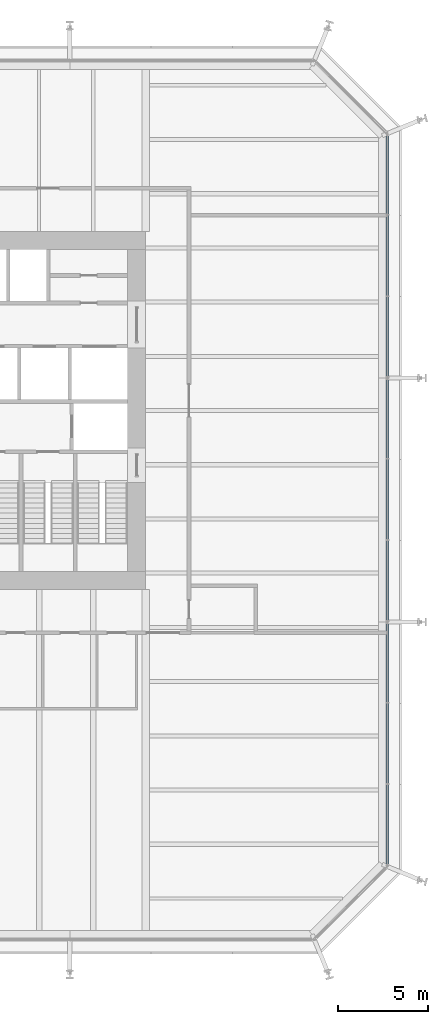
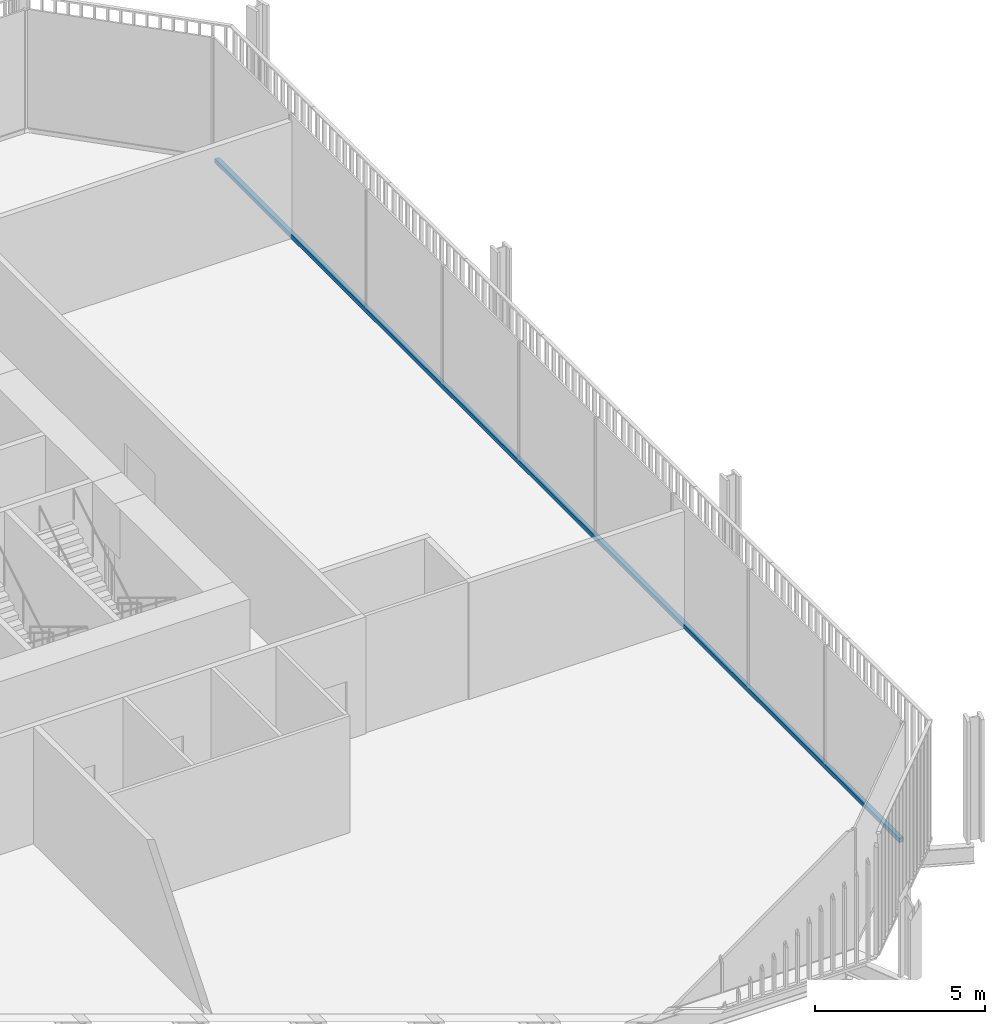
# One storey, part 9 of 20: 1 member, 1 element without a shape of its own.
"""IFC4 building model written with IfcOpenShell, lengths in metres."""

from ifc_helpers import new_model, si_unit, direction, frame, origin, origin_2d, place, context, subcontext, project, spatial, rectangle, extrude, material, layer, layer_set, material_profile, profile_set, type_object, element, aggregate, save


model = new_model("IFC4")

# Units and contexts
model_context = context("Model", 3, precision=1e-05, world=origin(), true_north=direction((0.0, 1.0)))
body_context = subcontext(model_context, "Body", "Model", "MODEL_VIEW")
ifc_project = project(units=[si_unit("LENGTHUNIT", "METRE"), si_unit("AREAUNIT", "SQUARE_METRE"), si_unit("VOLUMEUNIT", "CUBIC_METRE"), si_unit("PLANEANGLEUNIT", "RADIAN"), si_unit("MASSUNIT", "GRAM", prefix="KILO")], contexts=[model_context])

# Site, building, storey
site_placement = place(None, origin())
site = spatial("IfcSite", under=ifc_project, at=site_placement, CompositionType="ELEMENT")
building_placement = place(site_placement, origin())
building = spatial("IfcBuilding", under=site, at=building_placement, Name="Millrace Tower", CompositionType="ELEMENT")
storey_placement = place(building_placement, frame((0.0, 0.0, 99.60009765625)))
storey = spatial("IfcBuildingStorey", under=building, at=storey_placement, Name="L22", CompositionType="ELEMENT", Elevation=99.60009765625)

# Curtain wall, member
ifc_material_1 = material(Name="Aluminium and glass", Category="aluminium")
ifc_layer = layer(ifc_material_1, 0.14990234375)
ifc_layer_set = layer_set([ifc_layer], Name="Aluminium and glass")
curtain_wall_type = type_object("IfcCurtainWallType", Name="CW-3 telecom floor curtain wall", PredefinedType="NOTDEFINED", material=ifc_layer_set)
curtain_wall_placement = place(storey_placement, origin())
curtain_wall = element("IfcCurtainWall", 1, at=curtain_wall_placement, inside=storey, type_object=curtain_wall_type, Name="Curtain wall B-F04 L22", PredefinedType="NOTDEFINED")
ifc_material_2 = material(Name="Aluminium", Category="aluminium")
ifc_material_profile = material_profile(ifc_material_2, rectangle(XDim=0.14990234375, YDim=0.14990234375, at=origin_2d()))
ifc_profile_set = profile_set([ifc_material_profile], Name="Aluminium")
member_type = type_object("IfcMemberType", Name="CW-3 telecom floor curtain wall transom", PredefinedType="USERDEFINED", material=ifc_profile_set)
member_placement = place(storey_placement, frame((28.27490234375, -25.10009765625, 0.074951171875), z_axis=(0.0, 1.0, 0.0), x_axis=(-1.0, 0.0, 0.0)))
member = element("IfcMember", 2, at=member_placement, type_object=member_type, Name="CW3 transom B-F04.1", ObjectType="TRANSOM", PredefinedType="USERDEFINED", context=body_context, shape_type="SweptSolid", body=[
    extrude(rectangle(XDim=0.14990234375, YDim=0.14990234375, at=origin_2d()), origin(), (0.0, 0.0, 1.0), 40.300048828125),
])
aggregate(curtain_wall, [member])

save(model, "model.ifc")
